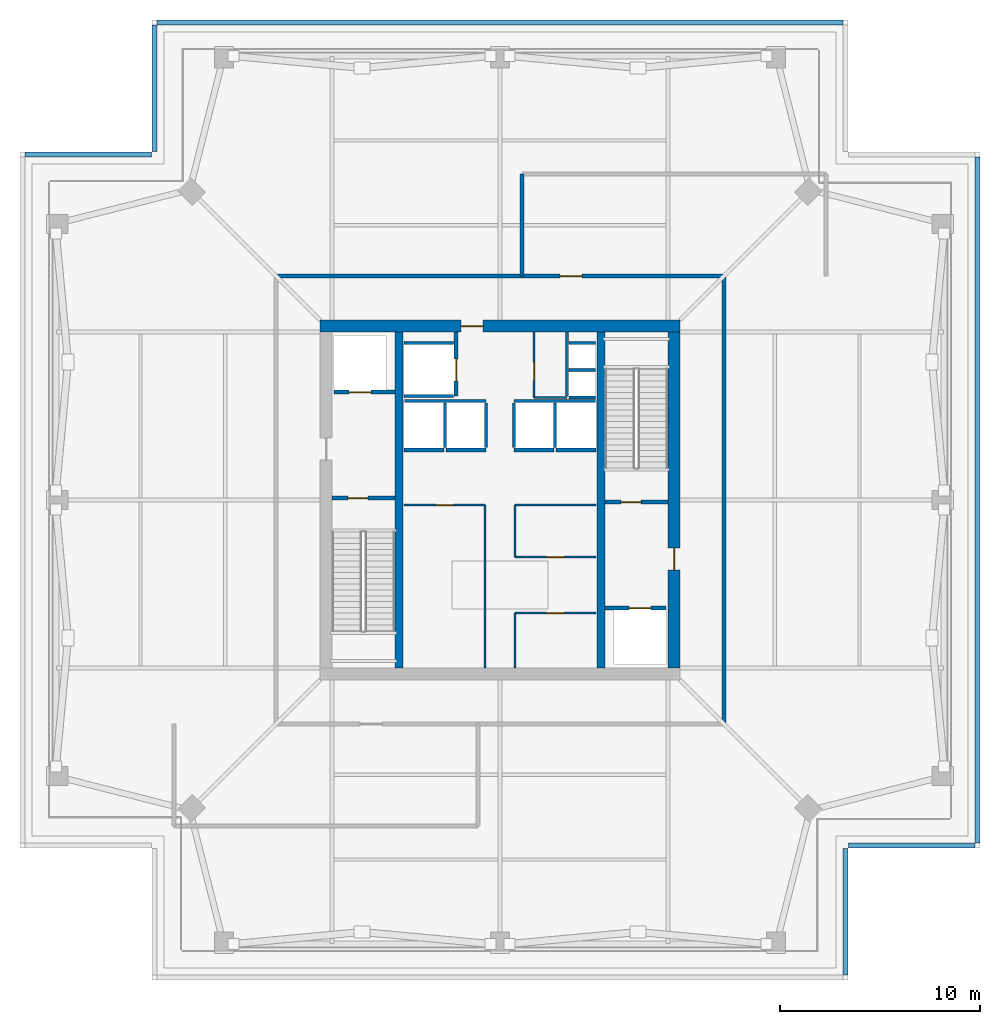
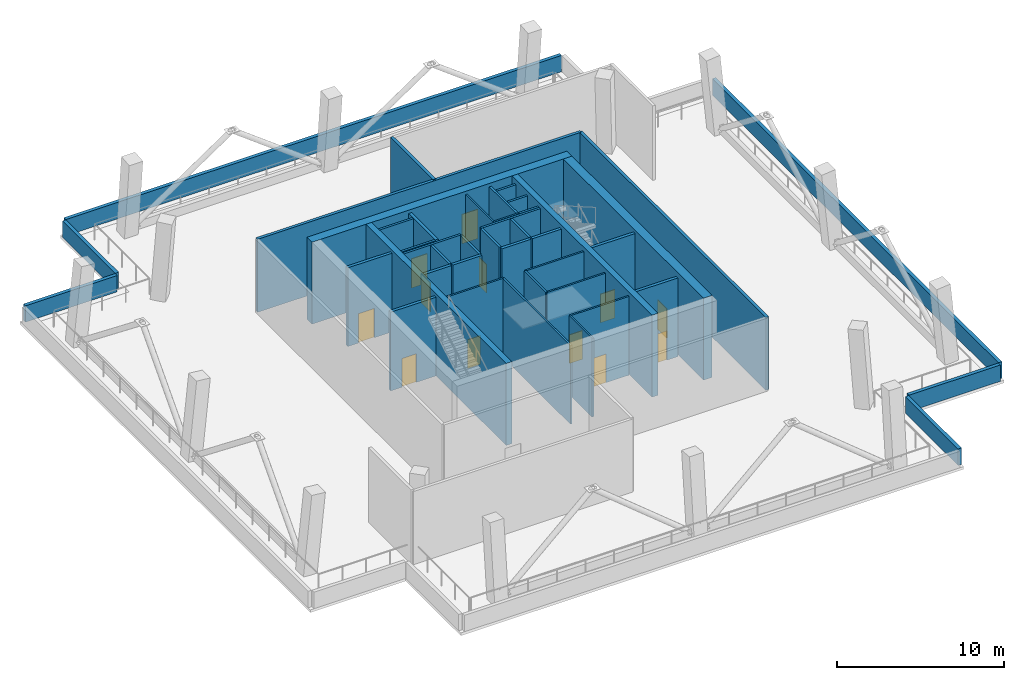
# One storey, part 3 of 7: 43 walls, 12 doors, 12 openings.
"""IFC4 building model written with IfcOpenShell, lengths in metres."""

from ifc_helpers import new_model, si_unit, direction, frame, frame_2d, origin, place, context, subcontext, project, spatial, rectangle, extrude, material, layer, layer_set, type_object, element, fill, save


model = new_model("IFC4")

# Units and contexts
model_context = context("Model", 3, precision=1e-05, world=origin(), true_north=direction((0.0, 1.0)))
body_context = subcontext(model_context, "Body", "Model", "MODEL_VIEW")
ifc_project = project(units=[si_unit("LENGTHUNIT", "METRE"), si_unit("AREAUNIT", "SQUARE_METRE"), si_unit("VOLUMEUNIT", "CUBIC_METRE"), si_unit("PLANEANGLEUNIT", "RADIAN"), si_unit("MASSUNIT", "GRAM", prefix="KILO")], contexts=[model_context])

# Site, building, storey
site_placement = place(None, origin())
site = spatial("IfcSite", under=ifc_project, at=site_placement, CompositionType="ELEMENT")
building_placement = place(site_placement, origin())
building = spatial("IfcBuilding", under=site, at=building_placement, Name="Belovzor Exchange Tower", CompositionType="ELEMENT")
storey_placement = place(building_placement, frame((0.0, 0.0, 289.5)))
storey = spatial("IfcBuildingStorey", under=building, at=storey_placement, Name="L72", CompositionType="ELEMENT", Elevation=289.5)

# Wall, opening, door
ifc_material_1 = material(Name="Fire-Rated Plasterboard on Galvanised Studs", Category="gypsum")
ifc_layer_1 = layer(ifc_material_1, 0.1201171875)
ifc_layer_set_1 = layer_set([ifc_layer_1], Name="Fire-Rated Plasterboard on Galvanised Studs")
wall_type_1 = type_object("IfcWallType", Name="Fire-Rated Double-Stud Partition Wall 120", PredefinedType="PARTITIONING", material=ifc_layer_set_1)
wall_1_placement = place(storey_placement, frame((30.5, 33.925048828125, 0.0), z_axis=(0.0, 0.0, 1.0), x_axis=(0.0, 1.0, 0.0)))
wall_1 = element("IfcWall", 1, at=wall_1_placement, inside=storey, type_object=wall_type_1, Name="W-P120F Partition Wall W-CRV-L72-W", PredefinedType="PARTITIONING", context=body_context, shape_type="SweptSolid", body=[
    extrude(rectangle(XDim=3.27490234375, YDim=0.1201171875, at=frame_2d((1.637451171875, 0.0))), origin(), (0.0, 0.0, 1.0), 5.760009765625),
])
opening_1_placement = place(wall_1_placement, frame((0.85009765625, 0.0, 0.0)))
opening_1 = element("IfcOpeningElement", 2, at=opening_1_placement, cuts=wall_1, Name="Opening D-FD60-090", PredefinedType="OPENING", context=body_context, shape_type="SweptSolid", body=[
    extrude(rectangle(XDim=0.89990234375, YDim=2.10009765625, at=frame_2d((0.449951171875, 1.050048828125))), frame((0.0, 0.070068359375, 0.0), z_axis=(0.0, -1.0, 0.0), x_axis=(1.0, 0.0, 0.0)), (0.0, 0.0, 1.0), 0.14013671875),
])
ifc_material_2 = material(Name="Acoustic Timber Fire Leaf", Category="wood")
door_type_1 = type_object("IfcDoorType", Name="Core Service & Restroom Fire Door 900x2100", OperationType="NOTDEFINED", PredefinedType="DOOR", material=ifc_material_2)
door_1_placement = place(opening_1_placement, origin())
door_1 = element("IfcDoor", 3, at=door_1_placement, inside=storey, type_object=door_type_1, Name="D-FD60-090 Core Service & Restroom Fire Door 900x2100", OperationType="SINGLE_SWING_LEFT", OverallHeight=2.10009765625, OverallWidth=0.89990234375, PredefinedType="DOOR", context=body_context, shape_type="SweptSolid", body=[
    extrude(rectangle(XDim=0.89990234375, YDim=2.10009765625, at=frame_2d((0.449951171875, 1.050048828125))), frame((0.0, 0.02490234375, 0.0), z_axis=(0.0, -1.0, 0.0), x_axis=(1.0, 0.0, 0.0)), (0.0, 0.0, 1.0), 0.050048828125),
])
fill(opening_1, door_1)

# Wall
wall_2_placement = place(storey_placement, frame((30.5, 33.925048828125, 0.0), z_axis=(0.0, 0.0, 1.0), x_axis=(1.0, 0.0, 0.0)))
element("IfcWall", 4, at=wall_2_placement, inside=storey, type_object=wall_type_1, Name="W-P120F Partition Wall W-CRV-L72-S", PredefinedType="PARTITIONING", context=body_context, shape_type="SweptSolid", body=[
    extrude(rectangle(XDim=1.64990234375, YDim=0.1201171875, at=frame_2d((0.824951171875, 0.0))), origin(), (0.0, 0.0, 1.0), 5.760009765625),
])

# Wall, opening, door
wall_3_placement = place(storey_placement, frame((24.0, 28.550048828125, 0.0), z_axis=(0.0, 0.0, 1.0), x_axis=(1.0, 0.0, 0.0)))
wall_3 = element("IfcWall", 5, at=wall_3_placement, inside=storey, type_object=wall_type_1, Name="W-P120F Partition Wall W-CRWB-L72-N", PredefinedType="PARTITIONING", context=body_context, shape_type="SweptSolid", body=[
    extrude(rectangle(XDim=4.050048828125, YDim=0.1201171875, at=frame_2d((2.02490234375, 0.0))), origin(), (0.0, 0.0, 1.0), 5.760009765625),
])
opening_2_placement = place(wall_3_placement, frame((1.574951171875, 0.0, 0.0)))
opening_2 = element("IfcOpeningElement", 6, at=opening_2_placement, cuts=wall_3, Name="Opening D-FD60-090", PredefinedType="OPENING", context=body_context, shape_type="SweptSolid", body=[
    extrude(rectangle(XDim=0.89990234375, YDim=2.10009765625, at=frame_2d((0.449951171875, 1.050048828125))), frame((0.0, 0.070068359375, 0.0), z_axis=(0.0, -1.0, 0.0), x_axis=(1.0, 0.0, 0.0)), (0.0, 0.0, 1.0), 0.14013671875),
])
door_2_placement = place(opening_2_placement, origin())
door_2 = element("IfcDoor", 7, at=door_2_placement, inside=storey, type_object=door_type_1, Name="D-FD60-090 Core Service & Restroom Fire Door 900x2100", OperationType="SINGLE_SWING_LEFT", OverallHeight=2.10009765625, OverallWidth=0.89990234375, PredefinedType="DOOR", context=body_context, shape_type="SweptSolid", body=[
    extrude(rectangle(XDim=0.89990234375, YDim=2.10009765625, at=frame_2d((0.449951171875, 1.050048828125))), frame((0.0, 0.02490234375, 0.0), z_axis=(0.0, -1.0, 0.0), x_axis=(1.0, 0.0, 0.0)), (0.0, 0.0, 1.0), 0.050048828125),
])
fill(opening_2, door_2)

# Wall
wall_4_placement = place(storey_placement, frame((28.050048828125, 20.39990234375, 0.0), z_axis=(0.0, 0.0, 1.0), x_axis=(0.0, 1.0, 0.0)))
element("IfcWall", 8, at=wall_4_placement, inside=storey, type_object=wall_type_1, Name="W-P120F Partition Wall W-CRWB-L72-E", PredefinedType="PARTITIONING", context=body_context, shape_type="SweptSolid", body=[
    extrude(rectangle(XDim=8.150146484375, YDim=0.1201171875, at=frame_2d((4.0751953125, 0.0))), origin(), (0.0, 0.0, 1.0), 5.760009765625),
])

# Wall, opening, door
wall_5_placement = place(storey_placement, frame((29.550048828125, 23.14990234375, 0.0), z_axis=(0.0, 0.0, 1.0), x_axis=(1.0, 0.0, 0.0)))
wall_5 = element("IfcWall", 9, at=wall_5_placement, inside=storey, type_object=wall_type_1, Name="W-P120F Partition Wall W-CRL-L72-EN", PredefinedType="PARTITIONING", context=body_context, shape_type="SweptSolid", body=[
    extrude(rectangle(XDim=4.050048828125, YDim=0.1201171875, at=frame_2d((2.02490234375, 0.0))), origin(), (0.0, 0.0, 1.0), 5.760009765625),
])
opening_3_placement = place(wall_5_placement, frame((1.574951171875, 0.0, 0.0)))
opening_3 = element("IfcOpeningElement", 10, at=opening_3_placement, cuts=wall_5, Name="Opening D-FD60-090", PredefinedType="OPENING", context=body_context, shape_type="SweptSolid", body=[
    extrude(rectangle(XDim=0.89990234375, YDim=2.10009765625, at=frame_2d((0.449951171875, 1.050048828125))), frame((0.0, 0.070068359375, 0.0), z_axis=(0.0, -1.0, 0.0), x_axis=(1.0, 0.0, 0.0)), (0.0, 0.0, 1.0), 0.14013671875),
])
door_3_placement = place(opening_3_placement, origin())
door_3 = element("IfcDoor", 11, at=door_3_placement, inside=storey, type_object=door_type_1, Name="D-FD60-090 Core Service & Restroom Fire Door 900x2100", OperationType="SINGLE_SWING_RIGHT", OverallHeight=2.10009765625, OverallWidth=0.89990234375, PredefinedType="DOOR", context=body_context, shape_type="SweptSolid", body=[
    extrude(rectangle(XDim=0.89990234375, YDim=2.10009765625, at=frame_2d((0.449951171875, 1.050048828125))), frame((0.0, 0.02490234375, 0.0), z_axis=(0.0, -1.0, 0.0), x_axis=(1.0, 0.0, 0.0)), (0.0, 0.0, 1.0), 0.050048828125),
])
fill(opening_3, door_3)

# Wall
wall_6_placement = place(storey_placement, frame((29.550048828125, 20.39990234375, 0.0), z_axis=(0.0, 0.0, 1.0), x_axis=(0.0, 1.0, 0.0)))
element("IfcWall", 12, at=wall_6_placement, inside=storey, type_object=wall_type_1, Name="W-P120F Partition Wall W-CRL-L72-EW", PredefinedType="PARTITIONING", context=body_context, shape_type="SweptSolid", body=[
    extrude(rectangle(XDim=2.75, YDim=0.1201171875, at=frame_2d((1.375, 0.0))), origin(), (0.0, 0.0, 1.0), 5.760009765625),
])

# Wall, opening, door
wall_7_placement = place(storey_placement, frame((29.550048828125, 25.949951171875, 0.0), z_axis=(0.0, 0.0, 1.0), x_axis=(1.0, 0.0, 0.0)))
wall_7 = element("IfcWall", 13, at=wall_7_placement, inside=storey, type_object=wall_type_1, Name="W-P120F Partition Wall W-CRM-L72-ES", PredefinedType="PARTITIONING", context=body_context, shape_type="SweptSolid", body=[
    extrude(rectangle(XDim=4.050048828125, YDim=0.1201171875, at=frame_2d((2.02490234375, 0.0))), origin(), (0.0, 0.0, 1.0), 5.760009765625),
])
opening_4_placement = place(wall_7_placement, frame((1.574951171875, 0.0, 0.0)))
opening_4 = element("IfcOpeningElement", 14, at=opening_4_placement, cuts=wall_7, Name="Opening D-FD60-090", PredefinedType="OPENING", context=body_context, shape_type="SweptSolid", body=[
    extrude(rectangle(XDim=0.89990234375, YDim=2.10009765625, at=frame_2d((0.449951171875, 1.050048828125))), frame((0.0, 0.070068359375, 0.0), z_axis=(0.0, -1.0, 0.0), x_axis=(1.0, 0.0, 0.0)), (0.0, 0.0, 1.0), 0.14013671875),
])
door_4_placement = place(opening_4_placement, origin())
door_4 = element("IfcDoor", 15, at=door_4_placement, inside=storey, type_object=door_type_1, Name="D-FD60-090 Core Service & Restroom Fire Door 900x2100", OperationType="SINGLE_SWING_RIGHT", OverallHeight=2.10009765625, OverallWidth=0.89990234375, PredefinedType="DOOR", context=body_context, shape_type="SweptSolid", body=[
    extrude(rectangle(XDim=0.89990234375, YDim=2.10009765625, at=frame_2d((0.449951171875, 1.050048828125))), frame((0.0, 0.02490234375, 0.0), z_axis=(0.0, -1.0, 0.0), x_axis=(1.0, 0.0, 0.0)), (0.0, 0.0, 1.0), 0.050048828125),
])
fill(opening_4, door_4)

# Walls
wall_8_placement = place(storey_placement, frame((29.550048828125, 28.550048828125, 0.0), z_axis=(0.0, 0.0, 1.0), x_axis=(1.0, 0.0, 0.0)))
element("IfcWall", 16, at=wall_8_placement, inside=storey, type_object=wall_type_1, Name="W-P120F Partition Wall W-CRM-L72-EN", PredefinedType="PARTITIONING", context=body_context, shape_type="SweptSolid", body=[
    extrude(rectangle(XDim=4.050048828125, YDim=0.1201171875, at=frame_2d((2.02490234375, 0.0))), origin(), (0.0, 0.0, 1.0), 5.760009765625),
])
wall_9_placement = place(storey_placement, frame((29.550048828125, 25.949951171875, 0.0), z_axis=(0.0, 0.0, 1.0), x_axis=(0.0, 1.0, 0.0)))
element("IfcWall", 17, at=wall_9_placement, inside=storey, type_object=wall_type_1, Name="W-P120F Partition Wall W-CRM-L72-EW", PredefinedType="PARTITIONING", context=body_context, shape_type="SweptSolid", body=[
    extrude(rectangle(XDim=2.60009765625, YDim=0.1201171875, at=frame_2d((1.300048828125, 0.0))), origin(), (0.0, 0.0, 1.0), 5.760009765625),
])
ifc_material_3 = material(Name="Precast concrete C40/50", Category="concrete")
ifc_layer_2 = layer(ifc_material_3, 0.239990234375)
ifc_layer_set_2 = layer_set([ifc_layer_2], Name="Precast concrete C40/50")
wall_type_2 = type_object("IfcWallType", Name="Precast Stone Setback Roof Parapet Wall 240", PredefinedType="PARAPET", material=ifc_layer_set_2)
wall_10_placement = place(storey_placement, frame((46.080078125, 5.054931640625, 0.0), z_axis=(0.0, 0.0, 1.0), x_axis=(0.0, 1.0, 0.0)))
element("IfcWall", 18, at=wall_10_placement, inside=storey, type_object=wall_type_2, Name="W-PAR240 Precast Stone Setback Roof Parapet Wall 240 L72", PredefinedType="PARAPET", context=body_context, shape_type="SweptSolid", body=[
    extrude(rectangle(XDim=6.330078125, YDim=0.239990234375, at=frame_2d((3.1650390625, 0.0))), origin(), (0.0, 0.0, 1.0), 1.199951171875),
])
wall_11_placement = place(storey_placement, frame((46.215087890625, 11.52001953125, 0.0), z_axis=(0.0, 0.0, 1.0), x_axis=(1.0, 0.0, 0.0)))
element("IfcWall", 19, at=wall_11_placement, inside=storey, type_object=wall_type_2, Name="W-PAR240 Precast Stone Setback Roof Parapet Wall 240 L72", PredefinedType="PARAPET", context=body_context, shape_type="SweptSolid", body=[
    extrude(rectangle(XDim=6.329833984375, YDim=0.239990234375, at=frame_2d((3.1650390625, 0.0))), origin(), (0.0, 0.0, 1.0), 1.199951171875),
])
for number, where, z_axis, x_axis, name in (
    (20, (52.679931640625, 11.655029296875, 0.0), (0.0, 0.0, 1.0), (0.0, 1.0, 0.0), "W-PAR240 Precast Stone Setback Roof Parapet Wall 240 L72"),
    (21, (45.945068359375, 52.679931640625, 0.0), (0.0, 0.0, 1.0), (-1.0, 0.0, 0.0), "W-PAR240 Precast Stone Setback Roof Parapet Wall 240 L72"),
):
    element("IfcWall", number, at=place(storey_placement, frame(where, z_axis=z_axis, x_axis=x_axis)), inside=storey, type_object=wall_type_2, Name=name, PredefinedType="PARAPET", context=body_context, shape_type="SweptSolid", body=[
        extrude(rectangle(XDim=34.2900390625, YDim=0.239990234375, at=frame_2d((17.14501953125, 0.0))), origin(), (0.0, 0.0, 1.0), 1.199951171875),
    ])
wall_12_placement = place(storey_placement, frame((11.52001953125, 52.544921875, 0.0), z_axis=(0.0, 0.0, 1.0), x_axis=(0.0, -1.0, 0.0)))
element("IfcWall", 22, at=wall_12_placement, inside=storey, type_object=wall_type_2, Name="W-PAR240 Precast Stone Setback Roof Parapet Wall 240 L72", PredefinedType="PARAPET", context=body_context, shape_type="SweptSolid", body=[
    extrude(rectangle(XDim=6.329833984375, YDim=0.239990234375, at=frame_2d((3.1650390625, 0.0))), origin(), (0.0, 0.0, 1.0), 1.199951171875),
])
wall_13_placement = place(storey_placement, frame((11.385009765625, 46.080078125, 0.0), z_axis=(0.0, 0.0, 1.0), x_axis=(-1.0, 0.0, 0.0)))
element("IfcWall", 23, at=wall_13_placement, inside=storey, type_object=wall_type_2, Name="W-PAR240 Precast Stone Setback Roof Parapet Wall 240 L72", PredefinedType="PARAPET", context=body_context, shape_type="SweptSolid", body=[
    extrude(rectangle(XDim=6.330078125, YDim=0.239990234375, at=frame_2d((3.1650390625, 0.0))), origin(), (0.0, 0.0, 1.0), 1.199951171875),
])

# Wall, opening, door
ifc_material_4 = material(Name="Concrete C40/50", Category="concrete")
ifc_layer_3 = layer(ifc_material_4, 0.199951171875)
ifc_layer_set_3 = layer_set([ifc_layer_3], Name="Concrete C40/50")
wall_type_3 = type_object("IfcWallType", Name="Reinforced Concrete Compartment Wall 200", PredefinedType="PARTITIONING", material=ifc_layer_set_3)
wall_14_placement = place(storey_placement, frame((17.60009765625, 40.0, 0.0), z_axis=(0.0, 0.0, 1.0), x_axis=(1.0, 0.0, 0.0)))
wall_14 = element("IfcWall", 24, at=wall_14_placement, inside=storey, type_object=wall_type_3, Name="W-C200 Partition Wall W-L72-PCN", PredefinedType="PARTITIONING", context=body_context, shape_type="SweptSolid", body=[
    extrude(rectangle(XDim=22.39990234375, YDim=0.199951171875, at=frame_2d((11.199951171875, 0.0))), origin(), (0.0, 0.0, 1.0), 5.344970703125),
])
opening_5_placement = place(wall_14_placement, frame((14.199951171875, 0.0, 0.0)))
opening_5 = element("IfcOpeningElement", 25, at=opening_5_placement, cuts=wall_14, Name="Opening D-FD90-110", PredefinedType="OPENING", context=body_context, shape_type="SweptSolid", body=[
    extrude(rectangle(XDim=1.10009765625, YDim=2.14990234375, at=frame_2d((0.550048828125, 1.074951171875))), frame((0.0, 0.10986328125, 0.0), z_axis=(0.0, -1.0, 0.0), x_axis=(1.0, 0.0, 0.0)), (0.0, 0.0, 1.0), 0.219970703125),
])
ifc_material_5 = material(Name="Fire-Rated Galvanised Steel Leaf", Category="steel")
door_type_2 = type_object("IfcDoorType", Name="Protected Escape Vestibule Fire Door 1100x2150", OperationType="NOTDEFINED", PredefinedType="DOOR", material=ifc_material_5)
door_5_placement = place(opening_5_placement, origin())
door_5 = element("IfcDoor", 26, at=door_5_placement, inside=storey, type_object=door_type_2, Name="D-FD90-110 Protected Escape Vestibule Fire Door 1100x2150", OperationType="SINGLE_SWING_RIGHT", OverallHeight=2.14990234375, OverallWidth=1.10009765625, PredefinedType="DOOR", context=body_context, shape_type="SweptSolid", body=[
    extrude(rectangle(XDim=1.10009765625, YDim=2.14990234375, at=frame_2d((0.550048828125, 1.074951171875))), frame((0.0, 0.02490234375, 0.0), z_axis=(0.0, -1.0, 0.0), x_axis=(1.0, 0.0, 0.0)), (0.0, 0.0, 1.0), 0.050048828125),
])
fill(opening_5, door_5)

# Walls
wall_15_placement = place(storey_placement, frame((40.0, 17.60009765625, 0.0), z_axis=(0.0, 0.0, 1.0), x_axis=(0.0, 1.0, 0.0)))
element("IfcWall", 27, at=wall_15_placement, inside=storey, type_object=wall_type_3, Name="W-C200 Partition Wall W-L72-PCE", PredefinedType="PARTITIONING", context=body_context, shape_type="SweptSolid", body=[
    extrude(rectangle(XDim=22.39990234375, YDim=0.199951171875, at=frame_2d((11.199951171875, 0.0))), origin(), (0.0, 0.0, 1.0), 5.344970703125),
])
wall_16_placement = place(storey_placement, frame((29.89990234375, 40.0, 0.0), z_axis=(0.0, 0.0, 1.0), x_axis=(0.0, 1.0, 0.0)))
element("IfcWall", 28, at=wall_16_placement, inside=storey, type_object=wall_type_3, Name="W-C200 Partition Wall W-L72-Q2W", PredefinedType="PARTITIONING", context=body_context, shape_type="SweptSolid", body=[
    extrude(rectangle(XDim=5.10009765625, YDim=0.199951171875, at=frame_2d((2.550048828125, 0.0))), origin(), (0.0, 0.0, 1.0), 5.385009765625),
])
ifc_material_6 = material(Name="Concrete C50/60", Category="concrete")
ifc_layer_4 = layer(ifc_material_6, 0.39990234375)
ifc_layer_set_4 = layer_set([ifc_layer_4], Name="Concrete C50/60")
wall_type_4 = type_object("IfcWallType", Name="Reinforced Concrete Core Internal Web Wall 400", PredefinedType="SHEAR", material=ifc_layer_set_4)
for number, where, z_axis, x_axis, name in (
    (29, (23.75, 20.39990234375, 0.0), (0.0, 0.0, 1.0), (0.0, 1.0, 0.0), "CW-W040 Core Internal Web Wall L72 WL"),
    (30, (33.85009765625, 20.39990234375, 0.0), (0.0, 0.0, 1.0), (0.0, 1.0, 0.0), "CW-W040 Core Internal Web Wall L72 ER"),
):
    element("IfcWall", number, at=place(storey_placement, frame(where, z_axis=z_axis, x_axis=x_axis)), inside=storey, type_object=wall_type_4, Name=name, PredefinedType="SHEAR", context=body_context, shape_type="SweptSolid", body=[
        extrude(rectangle(XDim=16.800048828125, YDim=0.39990234375, at=frame_2d((8.39990234375, 0.0))), origin(), (0.0, 0.0, 1.0), 6.0),
    ])
ifc_material_7 = material(Name="Concrete C50/60", Category="concrete")
ifc_layer_5 = layer(ifc_material_7, 0.14990234375)
ifc_layer_set_5 = layer_set([ifc_layer_5], Name="Concrete C50/60")
wall_type_5 = type_object("IfcWallType", Name="Reinforced Concrete Core Riser Shear Wall 150", PredefinedType="SHEAR", material=ifc_layer_set_5)
wall_17_placement = place(storey_placement, frame((32.14990234375, 34.0, 0.0), z_axis=(0.0, 0.0, 1.0), x_axis=(0.0, 1.0, 0.0)))
element("IfcWall", 31, at=wall_17_placement, inside=storey, type_object=wall_type_5, Name="W-C150S Core Shaft Wall W-RSR-L72-E", PredefinedType="SHEAR", context=body_context, shape_type="SweptSolid", body=[
    extrude(rectangle(XDim=3.199951171875, YDim=0.14990234375, at=frame_2d((1.60009765625, 0.0))), origin(), (0.0, 0.0, 1.0), 5.760009765625),
])
for number, where, z_axis, x_axis, name in (
    (32, (32.25, 33.925048828125, 0.0), (0.0, 0.0, 1.0), (1.0, 0.0, 0.0), "W-C150S Core Shaft Wall W-RSR-L72-S"),
    (33, (32.25, 35.300048828125, 0.0), (0.0, 0.0, 1.0), (1.0, 0.0, 0.0), "W-C150S Core Shaft Wall W-RSR-L72-M"),
):
    element("IfcWall", number, at=place(storey_placement, frame(where, z_axis=z_axis, x_axis=x_axis)), inside=storey, type_object=wall_type_5, Name=name, PredefinedType="SHEAR", context=body_context, shape_type="SweptSolid", body=[
        extrude(rectangle(XDim=1.330078125, YDim=0.14990234375, at=frame_2d((0.6650390625, 0.0))), origin(), (0.0, 0.0, 1.0), 5.760009765625),
    ])
for number, where, z_axis, x_axis, name in (
    (34, (24.0, 34.0, 0.0), (0.0, 0.0, 1.0), (1.0, 0.0, 0.0), "W-C150S Core Shaft Wall W-SH-L72-SL-01S"),
    (35, (24.0, 36.64990234375, 0.0), (0.0, 0.0, 1.0), (1.0, 0.0, 0.0), "W-C150S Core Shaft Wall W-SH-L72-SL-01N"),
):
    element("IfcWall", number, at=place(storey_placement, frame(where, z_axis=z_axis, x_axis=x_axis)), inside=storey, type_object=wall_type_5, Name=name, PredefinedType="SHEAR", context=body_context, shape_type="SweptSolid", body=[
        extrude(rectangle(XDim=2.47998046875, YDim=0.14990234375, at=frame_2d((1.239990234375, 0.0))), origin(), (0.0, 0.0, 1.0), 5.760009765625),
    ])
wall_18_placement = place(storey_placement, frame((32.25, 36.64990234375, 0.0), z_axis=(0.0, 0.0, 1.0), x_axis=(1.0, 0.0, 0.0)))
element("IfcWall", 36, at=wall_18_placement, inside=storey, type_object=wall_type_5, Name="W-C150S Core Shaft Wall W-RSR-L72-N", PredefinedType="SHEAR", context=body_context, shape_type="SweptSolid", body=[
    extrude(rectangle(XDim=1.330078125, YDim=0.14990234375, at=frame_2d((0.6650390625, 0.0))), origin(), (0.0, 0.0, 1.0), 5.760009765625),
])
for number, where, z_axis, x_axis, name in (
    (37, (24.02001953125, 33.760009765625, 0.0), (0.0, 0.0, 1.0), (1.0, 0.0, 0.0), "W-C150S Core Shaft Wall W-SHB-L72-PLH-NW"),
    (38, (29.5, 33.760009765625, 0.0), (0.0, 0.0, 1.0), (1.0, 0.0, 0.0), "W-C150S Core Shaft Wall W-SHB-L72-PLH-NE"),
):
    element("IfcWall", number, at=place(storey_placement, frame(where, z_axis=z_axis, x_axis=x_axis)), inside=storey, type_object=wall_type_5, Name=name, PredefinedType="SHEAR", context=body_context, shape_type="SweptSolid", body=[
        extrude(rectangle(XDim=4.080078125, YDim=0.14990234375, at=frame_2d((2.0400390625, 0.0))), origin(), (0.0, 0.0, 1.0), 5.760009765625),
    ])
for number, where, z_axis, x_axis, name in (
    (39, (26.050048828125, 31.419921875, 0.0), (0.0, 0.0, 1.0), (0.0, 1.0, 0.0), "W-C150S Core Shaft Wall W-SHD-L72-PLH-1"),
    (40, (28.10009765625, 31.419921875, 0.0), (0.0, 0.0, 1.0), (0.0, 1.0, 0.0), "W-C150S Core Shaft Wall W-SHD-L72-PLH-2"),
    (41, (29.5, 31.419921875, 0.0), (0.0, 0.0, 1.0), (0.0, 1.0, 0.0), "W-C150S Core Shaft Wall W-SHD-L72-PLH-3"),
    (42, (31.550048828125, 31.419921875, 0.0), (0.0, 0.0, 1.0), (0.0, 1.0, 0.0), "W-C150S Core Shaft Wall W-SHD-L72-PLH-4"),
):
    element("IfcWall", number, at=place(storey_placement, frame(where, z_axis=z_axis, x_axis=x_axis)), inside=storey, type_object=wall_type_5, Name=name, PredefinedType="SHEAR", context=body_context, shape_type="SweptSolid", body=[
        extrude(rectangle(XDim=2.239990234375, YDim=0.14990234375, at=frame_2d((1.1201171875, 0.0))), origin(), (0.0, 0.0, 1.0), 5.760009765625),
    ])

# Wall, opening, door
ifc_material_8 = material(Name="Concrete C50/60", Category="concrete")
ifc_layer_6 = layer(ifc_material_8, 0.199951171875)
ifc_layer_set_6 = layer_set([ifc_layer_6], Name="Concrete C50/60")
wall_type_6 = type_object("IfcWallType", Name="Reinforced Concrete Core Shaft Shear Wall 200", PredefinedType="SHEAR", material=ifc_layer_set_6)
wall_19_placement = place(storey_placement, frame((20.39990234375, 28.89990234375, 0.0), z_axis=(0.0, 0.0, 1.0), x_axis=(1.0, 0.0, 0.0)))
wall_19 = element("IfcWall", 43, at=wall_19_placement, inside=storey, type_object=wall_type_6, Name="W-C200S Core Shaft Wall W-CORE-L72-FFLW1", PredefinedType="SHEAR", context=body_context, shape_type="SweptSolid", body=[
    extrude(rectangle(XDim=3.150146484375, YDim=0.199951171875, at=frame_2d((1.5751953125, 0.0))), origin(), (0.0, 0.0, 1.0), 5.760009765625),
])
opening_6_placement = place(wall_19_placement, frame((0.800048828125, 0.0, 0.0)))
opening_6 = element("IfcOpeningElement", 44, at=opening_6_placement, cuts=wall_19, Name="Opening D-FD90-100", PredefinedType="OPENING", context=body_context, shape_type="SweptSolid", body=[
    extrude(rectangle(XDim=1.0, YDim=2.10009765625, at=frame_2d((0.5, 1.050048828125))), frame((0.0, 0.10986328125, 0.0), z_axis=(0.0, -1.0, 0.0), x_axis=(1.0, 0.0, 0.0)), (0.0, 0.0, 1.0), 0.219970703125),
])
ifc_material_9 = material(Name="Fire-Rated Galvanised Steel Leaf", Category="steel")
door_type_3 = type_object("IfcDoorType", Name="Protected Stairwell Single Fire Door 1000x2100", OperationType="NOTDEFINED", PredefinedType="DOOR", material=ifc_material_9)
door_6_placement = place(opening_6_placement, origin())
door_6 = element("IfcDoor", 45, at=door_6_placement, inside=storey, type_object=door_type_3, Name="D-FD90-100 Protected Stairwell Single Fire Door 1000x2100", OperationType="SINGLE_SWING_RIGHT", OverallHeight=2.10009765625, OverallWidth=1.0, PredefinedType="DOOR", context=body_context, shape_type="SweptSolid", body=[
    extrude(rectangle(XDim=1.0, YDim=2.10009765625, at=frame_2d((0.5, 1.050048828125))), frame((0.0, 0.02490234375, 0.0), z_axis=(0.0, -1.0, 0.0), x_axis=(1.0, 0.0, 0.0)), (0.0, 0.0, 1.0), 0.050048828125),
])
fill(opening_6, door_6)

wall_20_placement = place(storey_placement, frame((34.050048828125, 28.699951171875, 0.0), z_axis=(0.0, 0.0, 1.0), x_axis=(1.0, 0.0, 0.0)))
wall_20 = element("IfcWall", 46, at=wall_20_placement, inside=storey, type_object=wall_type_6, Name="W-C200S Core Shaft Wall W-CORE-L72-FFLE2", PredefinedType="SHEAR", context=body_context, shape_type="SweptSolid", body=[
    extrude(rectangle(XDim=3.14990234375, YDim=0.199951171875, at=frame_2d((1.574951171875, 0.0))), origin(), (0.0, 0.0, 1.0), 5.760009765625),
])
opening_7_placement = place(wall_20_placement, frame((0.800048828125, 0.0, 0.0)))
opening_7 = element("IfcOpeningElement", 47, at=opening_7_placement, cuts=wall_20, Name="Opening D-FD90-100", PredefinedType="OPENING", context=body_context, shape_type="SweptSolid", body=[
    extrude(rectangle(XDim=1.0, YDim=2.10009765625, at=frame_2d((0.5, 1.050048828125))), frame((0.0, 0.10986328125, 0.0), z_axis=(0.0, -1.0, 0.0), x_axis=(1.0, 0.0, 0.0)), (0.0, 0.0, 1.0), 0.219970703125),
])
door_7_placement = place(opening_7_placement, origin())
door_7 = element("IfcDoor", 48, at=door_7_placement, inside=storey, type_object=door_type_3, Name="D-FD90-100 Protected Stairwell Single Fire Door 1000x2100", OperationType="SINGLE_SWING_LEFT", OverallHeight=2.10009765625, OverallWidth=1.0, PredefinedType="DOOR", context=body_context, shape_type="SweptSolid", body=[
    extrude(rectangle(XDim=1.0, YDim=2.10009765625, at=frame_2d((0.5, 1.050048828125))), frame((0.0, 0.02490234375, 0.0), z_axis=(0.0, -1.0, 0.0), x_axis=(1.0, 0.0, 0.0)), (0.0, 0.0, 1.0), 0.050048828125),
])
fill(opening_7, door_7)

wall_21_placement = place(storey_placement, frame((20.5, 34.199951171875, 0.0), z_axis=(0.0, 0.0, 1.0), x_axis=(1.0, 0.0, 0.0)))
wall_21 = element("IfcWall", 49, at=wall_21_placement, inside=storey, type_object=wall_type_6, Name="W-C200S Core Shaft Wall W-SH-L72-FFL-01", PredefinedType="SHEAR", context=body_context, shape_type="SweptSolid", body=[
    extrude(rectangle(XDim=3.050048828125, YDim=0.199951171875, at=frame_2d((1.52490234375, 0.0))), origin(), (0.0, 0.0, 1.0), 5.760009765625),
])
opening_8_placement = place(wall_21_placement, frame((0.75, 0.0, 0.0)))
opening_8 = element("IfcOpeningElement", 50, at=opening_8_placement, cuts=wall_21, Name="Opening LD-110", PredefinedType="OPENING", context=body_context, shape_type="SweptSolid", body=[
    extrude(rectangle(XDim=1.10009765625, YDim=2.14990234375, at=frame_2d((0.550048828125, 1.074951171875))), frame((0.0, 0.10986328125, 0.0), z_axis=(0.0, -1.0, 0.0), x_axis=(1.0, 0.0, 0.0)), (0.0, 0.0, 1.0), 0.219970703125),
])
ifc_material_10 = material(Name="Stainless Steel Grade 304", Category="steel")
door_type_4 = type_object("IfcDoorType", Name="Automated Stainless Steel Lift Landing Door 1100x2150", OperationType="SLIDING_TO_RIGHT", PredefinedType="DOOR", material=ifc_material_10)
door_8_placement = place(opening_8_placement, origin())
door_8 = element("IfcDoor", 51, at=door_8_placement, inside=storey, type_object=door_type_4, Name="LD-110 Automated Stainless Steel Lift Landing Door 1100x2150", OperationType="SLIDING_TO_RIGHT", OverallHeight=2.14990234375, OverallWidth=1.10009765625, PredefinedType="DOOR", context=body_context, shape_type="SweptSolid", body=[
    extrude(rectangle(XDim=1.10009765625, YDim=2.14990234375, at=frame_2d((0.550048828125, 1.074951171875))), frame((0.0, 0.02490234375, 0.0), z_axis=(0.0, -1.0, 0.0), x_axis=(1.0, 0.0, 0.0)), (0.0, 0.0, 1.0), 0.050048828125),
])
fill(opening_8, door_8)

wall_22_placement = place(storey_placement, frame((34.050048828125, 23.39990234375, 0.0), z_axis=(0.0, 0.0, 1.0), x_axis=(1.0, 0.0, 0.0)))
wall_22 = element("IfcWall", 52, at=wall_22_placement, inside=storey, type_object=wall_type_6, Name="W-C200S Core Shaft Wall W-SH-L72-FFL-02", PredefinedType="SHEAR", context=body_context, shape_type="SweptSolid", body=[
    extrude(rectangle(XDim=3.050048828125, YDim=0.199951171875, at=frame_2d((1.52490234375, 0.0))), origin(), (0.0, 0.0, 1.0), 5.760009765625),
])
opening_9_placement = place(wall_22_placement, frame((1.199951171875, 0.0, 0.0)))
opening_9 = element("IfcOpeningElement", 53, at=opening_9_placement, cuts=wall_22, Name="Opening LD-110", PredefinedType="OPENING", context=body_context, shape_type="SweptSolid", body=[
    extrude(rectangle(XDim=1.10009765625, YDim=2.14990234375, at=frame_2d((0.550048828125, 1.074951171875))), frame((0.0, 0.10986328125, 0.0), z_axis=(0.0, -1.0, 0.0), x_axis=(1.0, 0.0, 0.0)), (0.0, 0.0, 1.0), 0.219970703125),
])
door_9_placement = place(opening_9_placement, origin())
door_9 = element("IfcDoor", 54, at=door_9_placement, inside=storey, type_object=door_type_4, Name="LD-110 Automated Stainless Steel Lift Landing Door 1100x2150", OperationType="SLIDING_TO_RIGHT", OverallHeight=2.14990234375, OverallWidth=1.10009765625, PredefinedType="DOOR", context=body_context, shape_type="SweptSolid", body=[
    extrude(rectangle(XDim=1.10009765625, YDim=2.14990234375, at=frame_2d((0.550048828125, 1.074951171875))), frame((0.0, 0.02490234375, 0.0), z_axis=(0.0, -1.0, 0.0), x_axis=(1.0, 0.0, 0.0)), (0.0, 0.0, 1.0), 0.050048828125),
])
fill(opening_9, door_9)

wall_23_placement = place(storey_placement, frame((26.60009765625, 34.0, 0.0), z_axis=(0.0, 0.0, 1.0), x_axis=(0.0, 1.0, 0.0)))
wall_23 = element("IfcWall", 55, at=wall_23_placement, inside=storey, type_object=wall_type_6, Name="W-C200S Core Shaft Wall W-SH-L72-SL-01", PredefinedType="SHEAR", context=body_context, shape_type="SweptSolid", body=[
    extrude(rectangle(XDim=3.199951171875, YDim=0.199951171875, at=frame_2d((1.60009765625, 0.0))), origin(), (0.0, 0.0, 1.0), 5.760009765625),
])
opening_10_placement = place(wall_23_placement, frame((0.75, 0.0, 0.0)))
opening_10 = element("IfcOpeningElement", 56, at=opening_10_placement, cuts=wall_23, Name="Opening LD-110", PredefinedType="OPENING", context=body_context, shape_type="SweptSolid", body=[
    extrude(rectangle(XDim=1.10009765625, YDim=2.14990234375, at=frame_2d((0.550048828125, 1.074951171875))), frame((0.0, 0.10986328125, 0.0), z_axis=(0.0, -1.0, 0.0), x_axis=(1.0, 0.0, 0.0)), (0.0, 0.0, 1.0), 0.219970703125),
])
door_10_placement = place(opening_10_placement, origin())
door_10 = element("IfcDoor", 57, at=door_10_placement, inside=storey, type_object=door_type_4, Name="LD-110 Automated Stainless Steel Lift Landing Door 1100x2150", OperationType="SLIDING_TO_RIGHT", OverallHeight=2.14990234375, OverallWidth=1.10009765625, PredefinedType="DOOR", context=body_context, shape_type="SweptSolid", body=[
    extrude(rectangle(XDim=1.10009765625, YDim=2.14990234375, at=frame_2d((0.550048828125, 1.074951171875))), frame((0.0, 0.02490234375, 0.0), z_axis=(0.0, -1.0, 0.0), x_axis=(1.0, 0.0, 0.0)), (0.0, 0.0, 1.0), 0.050048828125),
])
fill(opening_10, door_10)

# Walls
for number, where, z_axis, x_axis, name in (
    (58, (24.0, 31.300048828125, 0.0), (0.0, 0.0, 1.0), (1.0, 0.0, 0.0), "W-C200S Core Shaft Wall W-SH-L72-PL-H1"),
    (59, (26.10009765625, 31.300048828125, 0.0), (0.0, 0.0, 1.0), (1.0, 0.0, 0.0), "W-C200S Core Shaft Wall W-SH-L72-PL-H2"),
    (60, (29.5, 31.300048828125, 0.0), (0.0, 0.0, 1.0), (1.0, 0.0, 0.0), "W-C200S Core Shaft Wall W-SH-L72-PL-H3"),
    (61, (31.60009765625, 31.300048828125, 0.0), (0.0, 0.0, 1.0), (1.0, 0.0, 0.0), "W-C200S Core Shaft Wall W-SH-L72-PL-H4"),
):
    element("IfcWall", number, at=place(storey_placement, frame(where, z_axis=z_axis, x_axis=x_axis)), inside=storey, type_object=wall_type_6, Name=name, PredefinedType="SHEAR", context=body_context, shape_type="SweptSolid", body=[
        extrude(rectangle(XDim=2.0, YDim=0.199951171875, at=frame_2d((1.0, 0.0))), origin(), (0.0, 0.0, 1.0), 5.760009765625),
    ])

# Wall, opening, door
ifc_material_11 = material(Name="Concrete C50/60", Category="concrete")
ifc_layer_7 = layer(ifc_material_11, 0.60009765625)
ifc_layer_set_7 = layer_set([ifc_layer_7], Name="Concrete C50/60")
wall_type_7 = type_object("IfcWallType", Name="Reinforced Concrete Core Shear Wall 600", PredefinedType="SHEAR", material=ifc_layer_set_7)
wall_24_placement = place(storey_placement, frame((19.800048828125, 37.5, 0.0), z_axis=(0.0, 0.0, 1.0), x_axis=(1.0, 0.0, 0.0)))
wall_24 = element("IfcWall", 62, at=wall_24_placement, inside=storey, type_object=wall_type_7, Name="CW-S060 Core Shear Wall L72 N", PredefinedType="SHEAR", context=body_context, shape_type="SweptSolid", body=[
    extrude(rectangle(XDim=18.0, YDim=0.60009765625, at=frame_2d((9.0, 0.0))), origin(), (0.0, 0.0, 1.0), 6.0),
])
opening_11_placement = place(wall_24_placement, frame((7.050048828125, 0.0, 0.0)))
opening_11 = element("IfcOpeningElement", 63, at=opening_11_placement, cuts=wall_24, Name="Opening D-FD90-110", PredefinedType="OPENING", context=body_context, shape_type="SweptSolid", body=[
    extrude(rectangle(XDim=1.10009765625, YDim=2.14990234375, at=frame_2d((0.550048828125, 1.074951171875))), frame((0.0, 0.31005859375, 0.0), z_axis=(0.0, -1.0, 0.0), x_axis=(1.0, 0.0, 0.0)), (0.0, 0.0, 1.0), 0.6201171875),
])
door_11_placement = place(opening_11_placement, origin())
door_11 = element("IfcDoor", 64, at=door_11_placement, inside=storey, type_object=door_type_2, Name="D-FD90-110 Protected Escape Vestibule Fire Door 1100x2150", OperationType="SINGLE_SWING_LEFT", OverallHeight=2.14990234375, OverallWidth=1.10009765625, PredefinedType="DOOR", context=body_context, shape_type="SweptSolid", body=[
    extrude(rectangle(XDim=1.10009765625, YDim=2.14990234375, at=frame_2d((0.550048828125, 1.074951171875))), frame((0.0, 0.02490234375, 0.0), z_axis=(0.0, -1.0, 0.0), x_axis=(1.0, 0.0, 0.0)), (0.0, 0.0, 1.0), 0.050048828125),
])
fill(opening_11, door_11)

wall_25_placement = place(storey_placement, frame((37.5, 20.39990234375, 0.0), z_axis=(0.0, 0.0, 1.0), x_axis=(0.0, 1.0, 0.0)))
wall_25 = element("IfcWall", 65, at=wall_25_placement, inside=storey, type_object=wall_type_7, Name="CW-S060 Core Shear Wall L72 E", PredefinedType="SHEAR", context=body_context, shape_type="SweptSolid", body=[
    extrude(rectangle(XDim=16.800048828125, YDim=0.60009765625, at=frame_2d((8.39990234375, 0.0))), origin(), (0.0, 0.0, 1.0), 6.0),
])
opening_12_placement = place(wall_25_placement, frame((4.89990234375, 0.0, 0.0)))
opening_12 = element("IfcOpeningElement", 66, at=opening_12_placement, cuts=wall_25, Name="Opening D-FD90-110", PredefinedType="OPENING", context=body_context, shape_type="SweptSolid", body=[
    extrude(rectangle(XDim=1.10009765625, YDim=2.14990234375, at=frame_2d((0.550048828125, 1.074951171875))), frame((0.0, 0.31005859375, 0.0), z_axis=(0.0, -1.0, 0.0), x_axis=(1.0, 0.0, 0.0)), (0.0, 0.0, 1.0), 0.6201171875),
])
door_12_placement = place(opening_12_placement, origin())
door_12 = element("IfcDoor", 67, at=door_12_placement, inside=storey, type_object=door_type_2, Name="D-FD90-110 Protected Escape Vestibule Fire Door 1100x2150", OperationType="SINGLE_SWING_RIGHT", OverallHeight=2.14990234375, OverallWidth=1.10009765625, PredefinedType="DOOR", context=body_context, shape_type="SweptSolid", body=[
    extrude(rectangle(XDim=1.10009765625, YDim=2.14990234375, at=frame_2d((0.550048828125, 1.074951171875))), frame((0.0, 0.02490234375, 0.0), z_axis=(0.0, -1.0, 0.0), x_axis=(1.0, 0.0, 0.0)), (0.0, 0.0, 1.0), 0.050048828125),
])
fill(opening_12, door_12)

save(model, "model.ifc")
